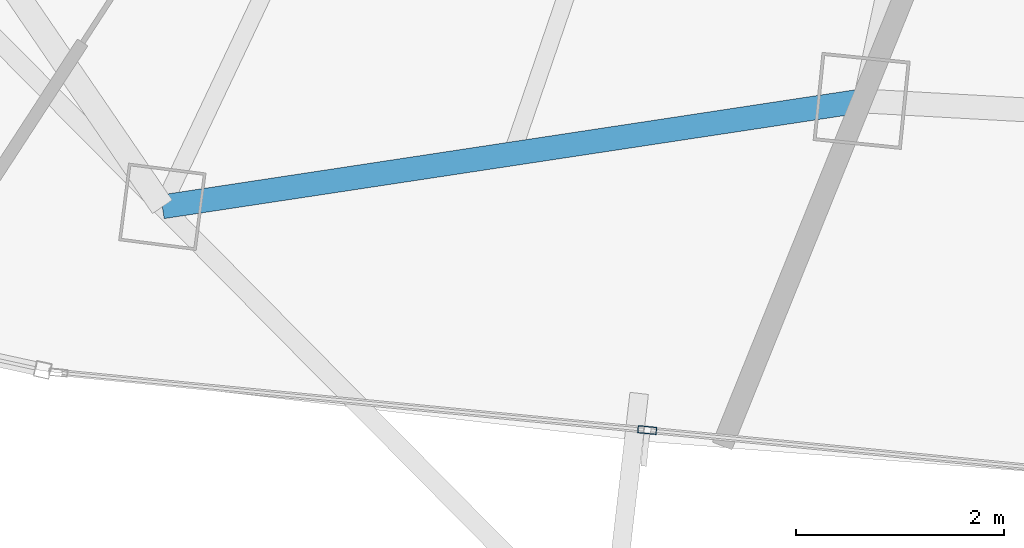
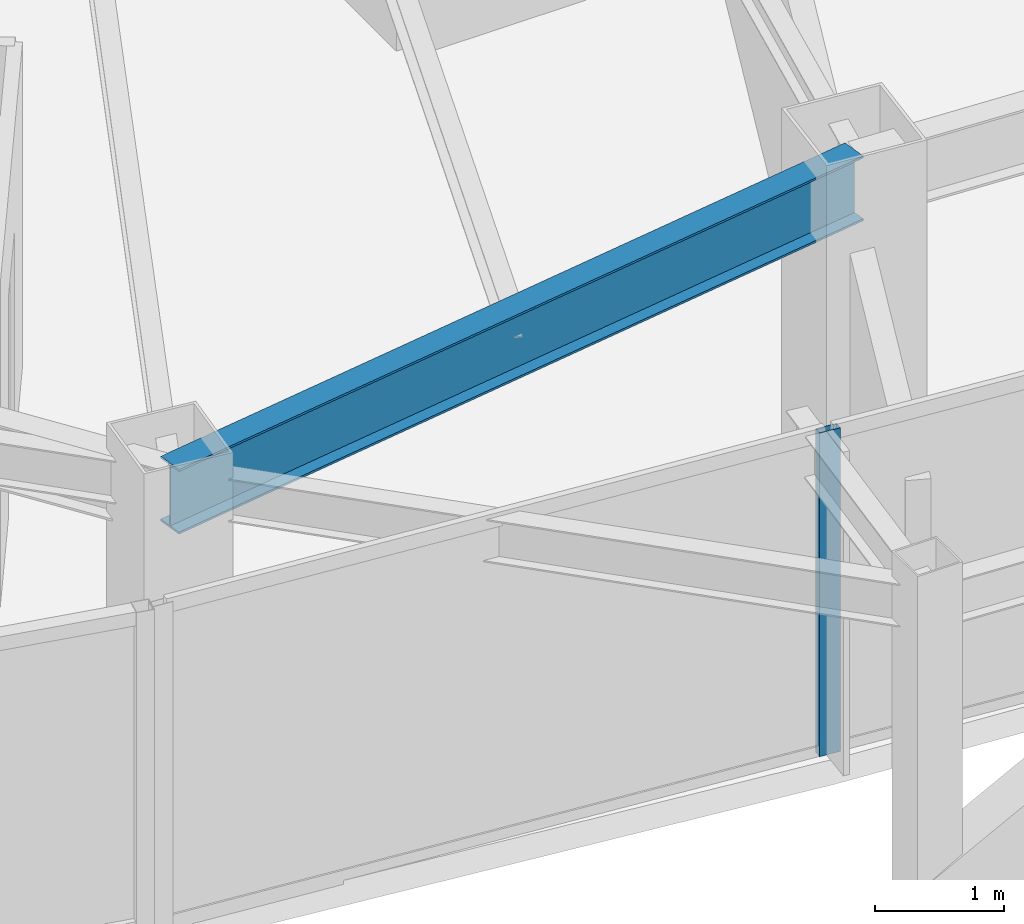
# One storey, part 4 of 31: 1 beam, 1 member, 1 element without a shape of its own.
"""IFC4 building model written with IfcOpenShell, lengths in metres."""

import ifcopenshell
import ifcopenshell.guid

model = None  # the IFC model being written
_history = None  # IfcOwnerHistory: only IFC2X3 demands one
_inside = {}  # id of a spatial element -> (the spatial element, [elements in it])
_under = {}  # id of a project, library or spatial element -> (it, [spatial elements below it])
_declared = {}  # id of a project -> (the project, [libraries it declares])
_typed = {}  # id of a type object -> (the type object, [elements of that type])
_made_of = {}  # id of a material, layer set ... -> (it, [elements and type objects made of it])


def new_model(schema):
    """Start an empty IFC model of exactly this schema.

    Asked for "IFC4X3", IfcOpenShell would pick the latest addendum, in which some entities
    have other attributes; the version numbers below select the first issue.
    IFC2X3 requires an IfcOwnerHistory on every rooted entity: one is made here for all.
    """
    global model, _history
    if schema == "IFC4X3":
        model = ifcopenshell.file(schema_version=(4, 3, 0, 0))
    else:
        model = ifcopenshell.file(schema=schema)
    _inside.clear()
    _under.clear()
    _declared.clear()
    _typed.clear()
    _made_of.clear()
    _history = None
    if model.schema == "IFC2X3":
        org = make("IfcOrganization", Name="unknown")
        user = make(
            "IfcPersonAndOrganization",
            ThePerson=make("IfcPerson", FamilyName="unknown"),
            TheOrganization=org,
        )
        app = make(
            "IfcApplication",
            ApplicationDeveloper=org,
            Version="unknown",
            ApplicationFullName="unknown",
            ApplicationIdentifier="unknown",
        )
        _history = make(
            "IfcOwnerHistory",
            OwningUser=user,
            OwningApplication=app,
            ChangeAction="ADDED",
            CreationDate=0,
        )
    return model


def make(cls, **values):
    """One entity of the class cls with the attributes given. An attribute that is None is left unset."""
    return model.create_entity(
        cls, **{name: value for name, value in values.items() if value is not None}
    )


def rooted(cls, **values):
    """An entity with a GlobalId (a new one), such as an element, a storey or a relation."""
    return make(cls, GlobalId=ifcopenshell.guid.new(), OwnerHistory=_history, **values)


def si_unit(unit_type, name, prefix=None):
    """IfcSIUnit, for example si_unit("LENGTHUNIT", "METRE", prefix="MILLI")."""
    return make("IfcSIUnit", UnitType=unit_type, Prefix=prefix, Name=name)


def assignment(units):
    """IfcUnitAssignment: the units of a project."""
    return None if units is None else make("IfcUnitAssignment", Units=units)


def point(xyz):
    """IfcCartesianPoint."""
    return None if xyz is None else make("IfcCartesianPoint", Coordinates=xyz)


def direction(xyz):
    """IfcDirection."""
    return None if xyz is None else make("IfcDirection", DirectionRatios=xyz)


def frame(location, z_axis=None, x_axis=None):
    """IfcAxis2Placement3D, a coordinate frame: its origin and axes. An axis left out is left unset."""
    return make(
        "IfcAxis2Placement3D",
        Location=point(location),
        Axis=direction(z_axis),
        RefDirection=direction(x_axis),
    )


def frame_2d(location, x_axis=None):
    """IfcAxis2Placement2D, a coordinate frame in the plane: its origin and x axis."""
    return make(
        "IfcAxis2Placement2D", Location=point(location), RefDirection=direction(x_axis)
    )


def origin():
    """The frame at (0, 0, 0) with its axes left unset."""
    return frame((0.0, 0.0, 0.0))


def origin_2d():
    """The frame at (0, 0) in the plane with its x axis left unset."""
    return frame_2d((0.0, 0.0))


def place(relative_to, where):
    """IfcLocalPlacement: puts the frame where relative to a parent placement (None: the world)."""
    return make(
        "IfcLocalPlacement", PlacementRelTo=relative_to, RelativePlacement=where
    )


def context(
    kind, dimensions, precision=None, world=None, true_north=None, identifier=None
):
    """IfcGeometricRepresentationContext, for example the 3D "Model" context."""
    return make(
        "IfcGeometricRepresentationContext",
        ContextIdentifier=identifier,
        ContextType=kind,
        CoordinateSpaceDimension=dimensions,
        Precision=precision,
        WorldCoordinateSystem=world,
        TrueNorth=true_north,
    )


def subcontext(parent, identifier, kind, view, scale=None):
    """IfcGeometricRepresentationSubContext, for example "Body" below "Model"."""
    return make(
        "IfcGeometricRepresentationSubContext",
        ContextIdentifier=identifier,
        ContextType=kind,
        ParentContext=parent,
        TargetScale=scale,
        TargetView=view,
    )


def project(units=None, contexts=None):
    """IfcProject with its units and contexts."""
    return rooted(
        "IfcProject",
        Name="project",
        RepresentationContexts=contexts,
        UnitsInContext=assignment(units),
    )


def spatial(cls, under=None, at=None, **own):
    """A site, building, storey or space (cls), placed at a placement, below another one or the project."""
    s = rooted(cls, ObjectPlacement=at, **own)
    if under is not None:
        _under.setdefault(under.id(), (under, []))[1].append(s)
    return s


def profile(cls, at=None, kind="AREA", **sizes):
    """A parametric profile (cls). Its sizes go by their IFC names, for example OverallWidth=200.0."""
    return make(cls, ProfileType=kind, Position=at, **sizes)


def hollow_rectangle(**sizes):
    """IfcRectangleHollowProfileDef."""
    return profile("IfcRectangleHollowProfileDef", **sizes)


def i_section(**sizes):
    """IfcIShapeProfileDef."""
    return profile("IfcIShapeProfileDef", **sizes)


def extrude(swept, where, along, depth):
    """IfcExtrudedAreaSolid: the profile swept, set in the frame where, extruded along a direction by depth."""
    return make(
        "IfcExtrudedAreaSolid",
        SweptArea=swept,
        Position=where,
        ExtrudedDirection=direction(along),
        Depth=depth,
    )


def shape(context_of_items, identifier, shape_type, items):
    """IfcShapeRepresentation: the items that make up one representation, for example the "Body"."""
    return make(
        "IfcShapeRepresentation",
        ContextOfItems=context_of_items,
        RepresentationIdentifier=identifier,
        RepresentationType=shape_type,
        Items=items,
    )


def material(Name=None, Category=None):
    """IfcMaterial."""
    return make("IfcMaterial", Name=Name, Category=Category)


def layer(
    of_material, thickness, ventilated=None, Name=None, Category=None, Priority=None
):
    """IfcMaterialLayer: one layer of a wall or slab, of a material (None: an air gap)."""
    return make(
        "IfcMaterialLayer",
        Material=of_material,
        LayerThickness=thickness,
        IsVentilated=ventilated,
        Name=Name,
        Category=Category,
        Priority=Priority,
    )


def layer_set(layers, Name=None):
    """IfcMaterialLayerSet."""
    return make("IfcMaterialLayerSet", MaterialLayers=layers, LayerSetName=Name)


def material_profile(
    of_material, cross_section, Name=None, Category=None, Priority=None
):
    """IfcMaterialProfile: a cross section and its material."""
    return make(
        "IfcMaterialProfile",
        Name=Name,
        Material=of_material,
        Profile=cross_section,
        Priority=Priority,
        Category=Category,
    )


def profile_set(profiles, Name=None, composite=None):
    """IfcMaterialProfileSet."""
    return make(
        "IfcMaterialProfileSet",
        Name=Name,
        MaterialProfiles=profiles,
        CompositeProfile=composite,
    )


def made_of(thing, what):
    """Note that an element or type object is made of a material, layer set ...; save() writes the relation."""
    if what is not None:
        _made_of.setdefault(what.id(), (what, []))[1].append(thing)
    return thing


def type_object(cls, material=None, **own):
    """A type object (cls), such as IfcWallType, which elements share."""
    return made_of(rooted(cls, **own), material)


def element(
    cls,
    number,
    at=None,
    inside=None,
    cuts=None,
    type_object=None,
    material=None,
    context=None,
    identifier="Body",
    shape_type=None,
    held_by="IfcProductDefinitionShape",
    body=None,
    shapes=None,
    **own,
):
    """One element of the class cls, such as IfcWall. Its Tag is "e" and its number.

    at: its placement. inside: the storey or other place that contains it. cuts: it is an
    opening in that element (IfcRelVoidsElement). A single representation is given by context,
    identifier, shape_type and body (its items); several are given by shapes. held_by: the class
    of the entity that holds the representations. save() writes the other relations.
    """
    e = rooted(cls, Tag="e%d" % number, ObjectPlacement=at, **own)
    if body is not None:
        shapes = [shape(context, identifier, shape_type, body)]
    if shapes is not None:
        e.Representation = make(held_by, Representations=shapes)
    if inside is not None:
        _inside.setdefault(inside.id(), (inside, []))[1].append(e)
    if cuts is not None:
        rooted(
            "IfcRelVoidsElement", RelatingBuildingElement=cuts, RelatedOpeningElement=e
        )
    if type_object is not None:
        _typed.setdefault(type_object.id(), (type_object, []))[1].append(e)
    return made_of(e, material)


def aggregate(whole, parts):
    """IfcRelAggregates: a whole, such as a stair, and the parts it consists of."""
    return rooted("IfcRelAggregates", RelatingObject=whole, RelatedObjects=parts)


def save(model, path):
    """Write the relations noted so far, then the file.

    IfcRelAggregates (storeys below a building ...), IfcRelContainedInSpatialStructure (elements
    in a storey), IfcRelDefinesByType, IfcRelAssociatesMaterial and IfcRelDeclares: one each for
    every whole, place, type object, material and project.
    """
    for whole, parts in _under.values():
        aggregate(whole, parts)
    for where, things in _inside.values():
        rooted(
            "IfcRelContainedInSpatialStructure",
            RelatedElements=things,
            RelatingStructure=where,
        )
    for kind, things in _typed.values():
        rooted("IfcRelDefinesByType", RelatedObjects=things, RelatingType=kind)
    for what, things in _made_of.values():
        rooted("IfcRelAssociatesMaterial", RelatedObjects=things, RelatingMaterial=what)
    for by, libraries in _declared.values():
        rooted("IfcRelDeclares", RelatingContext=by, RelatedDefinitions=libraries)
    model.write(path)


model = new_model("IFC4")

# Units and contexts
model_context = context("Model", 3, precision=1e-05, world=origin(), true_north=direction((0.0, 1.0)))
body_context = subcontext(model_context, "Body", "Model", "MODEL_VIEW")
ifc_project = project(units=[si_unit("LENGTHUNIT", "METRE"), si_unit("AREAUNIT", "SQUARE_METRE"), si_unit("VOLUMEUNIT", "CUBIC_METRE"), si_unit("PLANEANGLEUNIT", "RADIAN"), si_unit("MASSUNIT", "GRAM", prefix="KILO")], contexts=[model_context])

# Site, building, storey
site_placement = place(None, origin())
site = spatial("IfcSite", under=ifc_project, at=site_placement, CompositionType="ELEMENT")
building_placement = place(site_placement, origin())
building = spatial("IfcBuilding", under=site, at=building_placement, Name="Orvanel Arch Residences", CompositionType="ELEMENT")
storey_placement = place(building_placement, frame((0.0, 0.0, 150.64990234375)))
storey = spatial("IfcBuildingStorey", under=building, at=storey_placement, Name="L42", CompositionType="ELEMENT", Elevation=150.64990234375)

# Curtain wall, member
ifc_material_1 = material(Name="Bronze-anodised aluminium AA6063-T6", Category="aluminium")
ifc_layer = layer(ifc_material_1, 0.179931640625)
ifc_layer_set = layer_set([ifc_layer], Name="Bronze-anodised aluminium AA6063-T6")
curtain_wall_type = type_object("IfcCurtainWallType", Name="CW3-MID-SYS", PredefinedType="NOTDEFINED", material=ifc_layer_set)
curtain_wall_placement = place(storey_placement, origin())
curtain_wall = element("IfcCurtainWall", 1, at=curtain_wall_placement, inside=storey, type_object=curtain_wall_type, Name="L42 CW3-MID-SYS Unitised Curtain Wall", PredefinedType="NOTDEFINED")
ifc_material_profile_1 = material_profile(ifc_material_1, hollow_rectangle(XDim=0.070068359375, YDim=0.179931640625, WallThickness=0.00439453125, at=origin_2d()), Name="ALU180x70x4.5")
ifc_profile_set_1 = profile_set([ifc_material_profile_1], Name="Bronze-anodised aluminium AA6063-T6")
member_type = type_object("IfcMemberType", Name="MUL-180x70", PredefinedType="MULLION", material=ifc_profile_set_1)
member_placement = place(storey_placement, frame((21.591552734375, 4.197509765625, 0.0), z_axis=(0.0, 0.0, 1.0), x_axis=(0.097085158831, 0.995276078249, 0.0)))
member = element("IfcMember", 2, at=member_placement, type_object=member_type, Name="CW-S3 mullion 2", PredefinedType="MULLION", context=body_context, shape_type="SweptSolid", body=[
    extrude(hollow_rectangle(XDim=0.070068359375, YDim=0.179931640625, WallThickness=0.00439453125, at=origin_2d()), origin(), (0.0, 0.0, 1.0), 3.06005859375),
])
aggregate(curtain_wall, [member])

# Beam
ifc_material_2 = material(Name="Structural steel AS/NZS 3679.1 Grade 300 (300 MPa)", Category="steel")
ifc_material_profile_2 = material_profile(ifc_material_2, i_section(OverallWidth=0.22900390625, OverallDepth=0.612060546875, WebThickness=0.011962890625, FlangeThickness=0.01953125, at=origin_2d()), Name="610UB125")
ifc_profile_set_2 = profile_set([ifc_material_profile_2], Name="Structural steel AS/NZS 3679.1 Grade 300 (300 MPa)")
beam_type = type_object("IfcBeamType", Name="SP-610UB", PredefinedType="SPANDREL", material=ifc_profile_set_2)
beam_placement = place(storey_placement, frame((16.94091796875, 6.339111328125, 2.754150390625), z_axis=(0.988726323014, 0.149733958002, 0.0), x_axis=(-0.149733958002, 0.988726323014, 0.0)))
element("IfcBeam", 3, at=beam_placement, inside=storey, type_object=beam_type, Name="L42 Perimeter Spandrel Beam 04", PredefinedType="SPANDREL", context=body_context, shape_type="SweptSolid", body=[
    extrude(i_section(OverallWidth=0.22900390625, OverallDepth=0.612060546875, WebThickness=0.011962890625, FlangeThickness=0.01953125, at=origin_2d()), origin(), (0.0, 0.0, 1.0), 6.784423828125),
])

save(model, "model.ifc")
